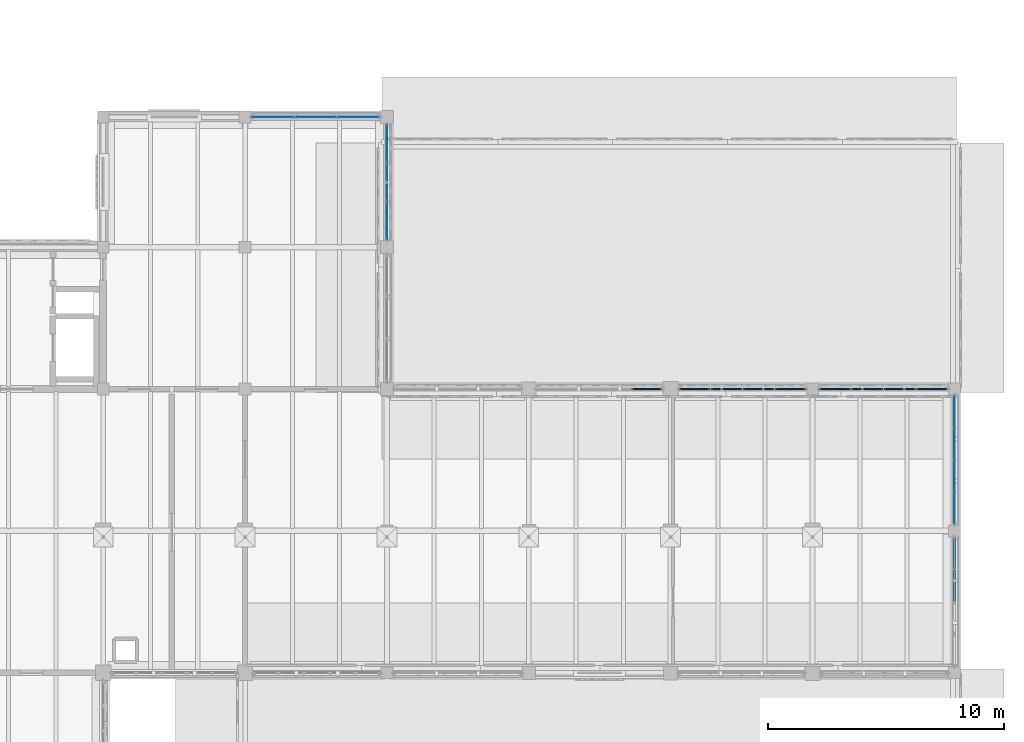
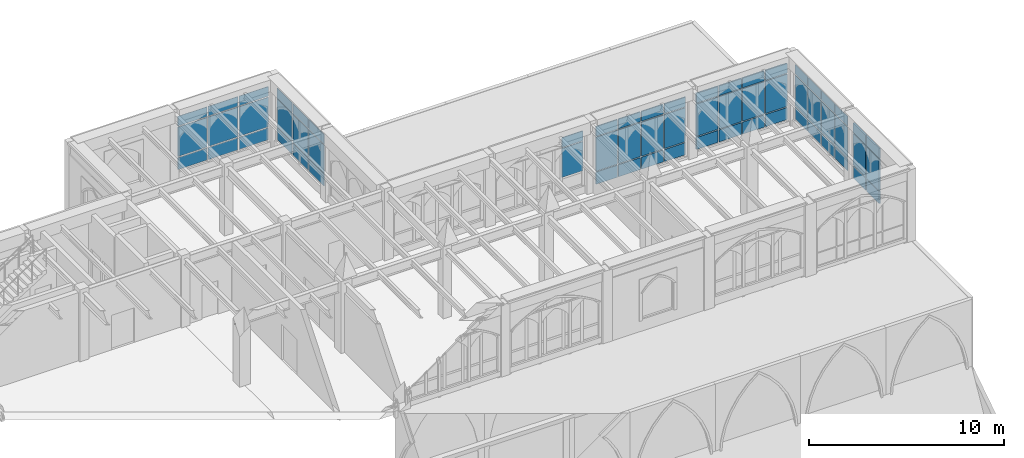
# One storey, part 99 of 143: 62 plates, 7 elements without a shape of their own.
"""IFC4 building model written with IfcOpenShell, lengths in metres."""

import ifcopenshell
import ifcopenshell.guid

model = None  # the IFC model being written
_history = None  # IfcOwnerHistory: only IFC2X3 demands one
_inside = {}  # id of a spatial element -> (the spatial element, [elements in it])
_under = {}  # id of a project, library or spatial element -> (it, [spatial elements below it])
_declared = {}  # id of a project -> (the project, [libraries it declares])
_typed = {}  # id of a type object -> (the type object, [elements of that type])
_made_of = {}  # id of a material, layer set ... -> (it, [elements and type objects made of it])


def new_model(schema):
    """Start an empty IFC model of exactly this schema.

    Asked for "IFC4X3", IfcOpenShell would pick the latest addendum, in which some entities
    have other attributes; the version numbers below select the first issue.
    IFC2X3 requires an IfcOwnerHistory on every rooted entity: one is made here for all.
    """
    global model, _history
    if schema == "IFC4X3":
        model = ifcopenshell.file(schema_version=(4, 3, 0, 0))
    else:
        model = ifcopenshell.file(schema=schema)
    _inside.clear()
    _under.clear()
    _declared.clear()
    _typed.clear()
    _made_of.clear()
    _history = None
    if model.schema == "IFC2X3":
        org = make("IfcOrganization", Name="unknown")
        user = make(
            "IfcPersonAndOrganization",
            ThePerson=make("IfcPerson", FamilyName="unknown"),
            TheOrganization=org,
        )
        app = make(
            "IfcApplication",
            ApplicationDeveloper=org,
            Version="unknown",
            ApplicationFullName="unknown",
            ApplicationIdentifier="unknown",
        )
        _history = make(
            "IfcOwnerHistory",
            OwningUser=user,
            OwningApplication=app,
            ChangeAction="ADDED",
            CreationDate=0,
        )
    return model


def make(cls, **values):
    """One entity of the class cls with the attributes given. An attribute that is None is left unset."""
    return model.create_entity(
        cls, **{name: value for name, value in values.items() if value is not None}
    )


def rooted(cls, **values):
    """An entity with a GlobalId (a new one), such as an element, a storey or a relation."""
    return make(cls, GlobalId=ifcopenshell.guid.new(), OwnerHistory=_history, **values)


def si_unit(unit_type, name, prefix=None):
    """IfcSIUnit, for example si_unit("LENGTHUNIT", "METRE", prefix="MILLI")."""
    return make("IfcSIUnit", UnitType=unit_type, Prefix=prefix, Name=name)


def assignment(units):
    """IfcUnitAssignment: the units of a project."""
    return None if units is None else make("IfcUnitAssignment", Units=units)


def point(xyz):
    """IfcCartesianPoint."""
    return None if xyz is None else make("IfcCartesianPoint", Coordinates=xyz)


def direction(xyz):
    """IfcDirection."""
    return None if xyz is None else make("IfcDirection", DirectionRatios=xyz)


def frame(location, z_axis=None, x_axis=None):
    """IfcAxis2Placement3D, a coordinate frame: its origin and axes. An axis left out is left unset."""
    return make(
        "IfcAxis2Placement3D",
        Location=point(location),
        Axis=direction(z_axis),
        RefDirection=direction(x_axis),
    )


def frame_2d(location, x_axis=None):
    """IfcAxis2Placement2D, a coordinate frame in the plane: its origin and x axis."""
    return make(
        "IfcAxis2Placement2D", Location=point(location), RefDirection=direction(x_axis)
    )


def origin():
    """The frame at (0, 0, 0) with its axes left unset."""
    return frame((0.0, 0.0, 0.0))


def origin_2d():
    """The frame at (0, 0) in the plane with its x axis left unset."""
    return frame_2d((0.0, 0.0))


def place(relative_to, where):
    """IfcLocalPlacement: puts the frame where relative to a parent placement (None: the world)."""
    return make(
        "IfcLocalPlacement", PlacementRelTo=relative_to, RelativePlacement=where
    )


def context(
    kind, dimensions, precision=None, world=None, true_north=None, identifier=None
):
    """IfcGeometricRepresentationContext, for example the 3D "Model" context."""
    return make(
        "IfcGeometricRepresentationContext",
        ContextIdentifier=identifier,
        ContextType=kind,
        CoordinateSpaceDimension=dimensions,
        Precision=precision,
        WorldCoordinateSystem=world,
        TrueNorth=true_north,
    )


def subcontext(parent, identifier, kind, view, scale=None):
    """IfcGeometricRepresentationSubContext, for example "Body" below "Model"."""
    return make(
        "IfcGeometricRepresentationSubContext",
        ContextIdentifier=identifier,
        ContextType=kind,
        ParentContext=parent,
        TargetScale=scale,
        TargetView=view,
    )


def project(units=None, contexts=None):
    """IfcProject with its units and contexts."""
    return rooted(
        "IfcProject",
        Name="project",
        RepresentationContexts=contexts,
        UnitsInContext=assignment(units),
    )


def spatial(cls, under=None, at=None, **own):
    """A site, building, storey or space (cls), placed at a placement, below another one or the project."""
    s = rooted(cls, ObjectPlacement=at, **own)
    if under is not None:
        _under.setdefault(under.id(), (under, []))[1].append(s)
    return s


def profile(cls, at=None, kind="AREA", **sizes):
    """A parametric profile (cls). Its sizes go by their IFC names, for example OverallWidth=200.0."""
    return make(cls, ProfileType=kind, Position=at, **sizes)


def rectangle(**sizes):
    """IfcRectangleProfileDef."""
    return profile("IfcRectangleProfileDef", **sizes)


def extrude(swept, where, along, depth):
    """IfcExtrudedAreaSolid: the profile swept, set in the frame where, extruded along a direction by depth."""
    return make(
        "IfcExtrudedAreaSolid",
        SweptArea=swept,
        Position=where,
        ExtrudedDirection=direction(along),
        Depth=depth,
    )


def shape(context_of_items, identifier, shape_type, items):
    """IfcShapeRepresentation: the items that make up one representation, for example the "Body"."""
    return make(
        "IfcShapeRepresentation",
        ContextOfItems=context_of_items,
        RepresentationIdentifier=identifier,
        RepresentationType=shape_type,
        Items=items,
    )


def material(Name=None, Category=None):
    """IfcMaterial."""
    return make("IfcMaterial", Name=Name, Category=Category)


def layer(
    of_material, thickness, ventilated=None, Name=None, Category=None, Priority=None
):
    """IfcMaterialLayer: one layer of a wall or slab, of a material (None: an air gap)."""
    return make(
        "IfcMaterialLayer",
        Material=of_material,
        LayerThickness=thickness,
        IsVentilated=ventilated,
        Name=Name,
        Category=Category,
        Priority=Priority,
    )


def layer_set(layers, Name=None):
    """IfcMaterialLayerSet."""
    return make("IfcMaterialLayerSet", MaterialLayers=layers, LayerSetName=Name)


def made_of(thing, what):
    """Note that an element or type object is made of a material, layer set ...; save() writes the relation."""
    if what is not None:
        _made_of.setdefault(what.id(), (what, []))[1].append(thing)
    return thing


def type_object(cls, material=None, **own):
    """A type object (cls), such as IfcWallType, which elements share."""
    return made_of(rooted(cls, **own), material)


def element(
    cls,
    number,
    at=None,
    inside=None,
    cuts=None,
    type_object=None,
    material=None,
    context=None,
    identifier="Body",
    shape_type=None,
    held_by="IfcProductDefinitionShape",
    body=None,
    shapes=None,
    **own,
):
    """One element of the class cls, such as IfcWall. Its Tag is "e" and its number.

    at: its placement. inside: the storey or other place that contains it. cuts: it is an
    opening in that element (IfcRelVoidsElement). A single representation is given by context,
    identifier, shape_type and body (its items); several are given by shapes. held_by: the class
    of the entity that holds the representations. save() writes the other relations.
    """
    e = rooted(cls, Tag="e%d" % number, ObjectPlacement=at, **own)
    if body is not None:
        shapes = [shape(context, identifier, shape_type, body)]
    if shapes is not None:
        e.Representation = make(held_by, Representations=shapes)
    if inside is not None:
        _inside.setdefault(inside.id(), (inside, []))[1].append(e)
    if cuts is not None:
        rooted(
            "IfcRelVoidsElement", RelatingBuildingElement=cuts, RelatedOpeningElement=e
        )
    if type_object is not None:
        _typed.setdefault(type_object.id(), (type_object, []))[1].append(e)
    return made_of(e, material)


def aggregate(whole, parts):
    """IfcRelAggregates: a whole, such as a stair, and the parts it consists of."""
    return rooted("IfcRelAggregates", RelatingObject=whole, RelatedObjects=parts)


def save(model, path):
    """Write the relations noted so far, then the file.

    IfcRelAggregates (storeys below a building ...), IfcRelContainedInSpatialStructure (elements
    in a storey), IfcRelDefinesByType, IfcRelAssociatesMaterial and IfcRelDeclares: one each for
    every whole, place, type object, material and project.
    """
    for whole, parts in _under.values():
        aggregate(whole, parts)
    for where, things in _inside.values():
        rooted(
            "IfcRelContainedInSpatialStructure",
            RelatedElements=things,
            RelatingStructure=where,
        )
    for kind, things in _typed.values():
        rooted("IfcRelDefinesByType", RelatedObjects=things, RelatingType=kind)
    for what, things in _made_of.values():
        rooted("IfcRelAssociatesMaterial", RelatedObjects=things, RelatingMaterial=what)
    for by, libraries in _declared.values():
        rooted("IfcRelDeclares", RelatingContext=by, RelatedDefinitions=libraries)
    model.write(path)


model = new_model("IFC4")

# Units and contexts
model_context = context("Model", 3, precision=1e-05, world=origin(), true_north=direction((0.0, 1.0)))
body_context = subcontext(model_context, "Body", "Model", "MODEL_VIEW")
ifc_project = project(units=[si_unit("LENGTHUNIT", "METRE"), si_unit("AREAUNIT", "SQUARE_METRE"), si_unit("VOLUMEUNIT", "CUBIC_METRE"), si_unit("PLANEANGLEUNIT", "RADIAN"), si_unit("MASSUNIT", "GRAM", prefix="KILO")], contexts=[model_context])

# Site, building, storey
site_placement = place(None, origin())
site = spatial("IfcSite", under=ifc_project, at=site_placement, CompositionType="ELEMENT")
building_placement = place(site_placement, origin())
building = spatial("IfcBuilding", under=site, at=building_placement, Name="Cumevento Cable Car Station", CompositionType="ELEMENT")
storey_placement = place(building_placement, frame((0.0, 0.0, 9.0)))
storey = spatial("IfcBuildingStorey", under=building, at=storey_placement, Name="L03", CompositionType="ELEMENT", Elevation=9.0)

# Curtain wall, plates
ifc_material_1 = material(Name="Anodised Bronze Aluminium AW-6063-T6", Category="aluminium")
ifc_layer_1 = layer(ifc_material_1, 0.23193359375)
ifc_layer_set_1 = layer_set([ifc_layer_1], Name="Anodised Bronze Aluminium AW-6063-T6")
curtain_wall_type_1 = type_object("IfcCurtainWallType", Name="Lancet Curtain Wall CW-13 1530", PredefinedType="NOTDEFINED", material=ifc_layer_set_1)
curtain_wall_1_placement = place(storey_placement, origin())
curtain_wall_1 = element("IfcCurtainWall", 1, at=curtain_wall_1_placement, inside=storey, type_object=curtain_wall_type_1, Name="Lancet Curtain Wall CW-13 L03 #140", PredefinedType="NOTDEFINED")
ifc_material_2 = material(Name="Solar Control Laminated Double Glazing", Category="glass")
ifc_layer_2 = layer(ifc_material_2, 0.02197265625)
ifc_layer_set_2 = layer_set([ifc_layer_2], Name="Solar Control Laminated Double Glazing")
plate_type_1 = type_object("IfcPlateType", Name="Glazed Panel CWP-01 22", PredefinedType="CURTAIN_PANEL", material=ifc_layer_set_2)
plate_1_placement = place(storey_placement, frame((166.0, 44.046142578125, 0.425048828125), z_axis=(0.0, 0.0, 1.0), x_axis=(0.0, -1.0, 0.0)))
plate_1 = element("IfcPlate", 2, at=plate_1_placement, type_object=plate_type_1, Name="CW-13 panel 1.1", PredefinedType="CURTAIN_PANEL", context=body_context, shape_type="SweptSolid", body=[
    extrude(rectangle(XDim=1.277587890625, YDim=0.02197265625, at=origin_2d()), origin(), (0.0, 0.0, 1.0), 0.75244140625),
])
plate_2_placement = place(storey_placement, frame((166.0, 44.046142578125, 1.242431640625), z_axis=(0.0, 0.0, 1.0), x_axis=(0.0, -1.0, 0.0)))
plate_2 = element("IfcPlate", 3, at=plate_2_placement, type_object=plate_type_1, Name="CW-13 panel 1.2", PredefinedType="CURTAIN_PANEL", context=body_context, shape_type="SweptSolid", body=[
    extrude(rectangle(XDim=1.277587890625, YDim=0.02197265625, at=origin_2d()), origin(), (0.0, 0.0, 1.0), 1.91796875),
])
plate_3_placement = place(storey_placement, frame((166.0, 44.046142578125, 3.2255859375), z_axis=(0.0, 0.0, 1.0), x_axis=(0.0, -1.0, 0.0)))
plate_3 = element("IfcPlate", 4, at=plate_3_placement, type_object=plate_type_1, Name="CW-13 panel 1.3", PredefinedType="CURTAIN_PANEL", context=body_context, shape_type="SweptSolid", body=[
    extrude(rectangle(XDim=1.277587890625, YDim=0.02197265625, at=origin_2d()), origin(), (0.0, 0.0, 1.0), 0.6025390625),
])
plate_4_placement = place(storey_placement, frame((166.0, 42.6875, 0.425048828125), z_axis=(0.0, 0.0, 1.0), x_axis=(0.0, -1.0, 0.0)))
plate_4 = element("IfcPlate", 5, at=plate_4_placement, type_object=plate_type_1, Name="CW-13 panel 2.1", PredefinedType="CURTAIN_PANEL", context=body_context, shape_type="SweptSolid", body=[
    extrude(rectangle(XDim=1.31005859375, YDim=0.02197265625, at=origin_2d()), origin(), (0.0, 0.0, 1.0), 0.75244140625),
])
plate_5_placement = place(storey_placement, frame((166.0, 42.6875, 1.242431640625), z_axis=(0.0, 0.0, 1.0), x_axis=(0.0, -1.0, 0.0)))
plate_5 = element("IfcPlate", 6, at=plate_5_placement, type_object=plate_type_1, Name="CW-13 panel 2.2", PredefinedType="CURTAIN_PANEL", context=body_context, shape_type="SweptSolid", body=[
    extrude(rectangle(XDim=1.31005859375, YDim=0.02197265625, at=origin_2d()), origin(), (0.0, 0.0, 1.0), 1.91796875),
])
plate_6_placement = place(storey_placement, frame((166.0, 42.6875, 3.2255859375), z_axis=(0.0, 0.0, 1.0), x_axis=(0.0, -1.0, 0.0)))
plate_6 = element("IfcPlate", 7, at=plate_6_placement, type_object=plate_type_1, Name="CW-13 panel 2.3", PredefinedType="CURTAIN_PANEL", context=body_context, shape_type="SweptSolid", body=[
    extrude(rectangle(XDim=1.31005859375, YDim=0.02197265625, at=origin_2d()), origin(), (0.0, 0.0, 1.0), 0.6025390625),
])
plate_7_placement = place(storey_placement, frame((166.0, 41.3125, 0.425048828125), z_axis=(0.0, 0.0, 1.0), x_axis=(0.0, -1.0, 0.0)))
plate_7 = element("IfcPlate", 8, at=plate_7_placement, type_object=plate_type_1, Name="CW-13 panel 3.1", PredefinedType="CURTAIN_PANEL", context=body_context, shape_type="SweptSolid", body=[
    extrude(rectangle(XDim=1.31005859375, YDim=0.02197265625, at=origin_2d()), origin(), (0.0, 0.0, 1.0), 0.75244140625),
])
plate_8_placement = place(storey_placement, frame((166.0, 41.3125, 1.242431640625), z_axis=(0.0, 0.0, 1.0), x_axis=(0.0, -1.0, 0.0)))
plate_8 = element("IfcPlate", 9, at=plate_8_placement, type_object=plate_type_1, Name="CW-13 panel 3.2", PredefinedType="CURTAIN_PANEL", context=body_context, shape_type="SweptSolid", body=[
    extrude(rectangle(XDim=1.31005859375, YDim=0.02197265625, at=origin_2d()), origin(), (0.0, 0.0, 1.0), 1.91796875),
])
plate_9_placement = place(storey_placement, frame((166.0, 41.3125, 3.2255859375), z_axis=(0.0, 0.0, 1.0), x_axis=(0.0, -1.0, 0.0)))
plate_9 = element("IfcPlate", 10, at=plate_9_placement, type_object=plate_type_1, Name="CW-13 panel 3.3", PredefinedType="CURTAIN_PANEL", context=body_context, shape_type="SweptSolid", body=[
    extrude(rectangle(XDim=1.31005859375, YDim=0.02197265625, at=origin_2d()), origin(), (0.0, 0.0, 1.0), 0.6025390625),
])
plate_10_placement = place(storey_placement, frame((166.0, 39.953857421875, 0.425048828125), z_axis=(0.0, 0.0, 1.0), x_axis=(0.0, -1.0, 0.0)))
plate_10 = element("IfcPlate", 11, at=plate_10_placement, type_object=plate_type_1, Name="CW-13 panel 4.1", PredefinedType="CURTAIN_PANEL", context=body_context, shape_type="SweptSolid", body=[
    extrude(rectangle(XDim=1.277587890625, YDim=0.02197265625, at=origin_2d()), origin(), (0.0, 0.0, 1.0), 0.75244140625),
])
plate_11_placement = place(storey_placement, frame((166.0, 39.953857421875, 1.242431640625), z_axis=(0.0, 0.0, 1.0), x_axis=(0.0, -1.0, 0.0)))
plate_11 = element("IfcPlate", 12, at=plate_11_placement, type_object=plate_type_1, Name="CW-13 panel 4.2", PredefinedType="CURTAIN_PANEL", context=body_context, shape_type="SweptSolid", body=[
    extrude(rectangle(XDim=1.277587890625, YDim=0.02197265625, at=origin_2d()), origin(), (0.0, 0.0, 1.0), 1.91796875),
])
plate_12_placement = place(storey_placement, frame((166.0, 39.953857421875, 3.2255859375), z_axis=(0.0, 0.0, 1.0), x_axis=(0.0, -1.0, 0.0)))
plate_12 = element("IfcPlate", 13, at=plate_12_placement, type_object=plate_type_1, Name="CW-13 panel 4.3", PredefinedType="CURTAIN_PANEL", context=body_context, shape_type="SweptSolid", body=[
    extrude(rectangle(XDim=1.277587890625, YDim=0.02197265625, at=origin_2d()), origin(), (0.0, 0.0, 1.0), 0.6025390625),
])
aggregate(curtain_wall_1, [plate_1, plate_2, plate_3, plate_4, plate_5, plate_6, plate_7, plate_8, plate_9, plate_10, plate_11, plate_12])

ifc_material_3 = material(Name="Anodised Bronze Aluminium AW-6063-T6", Category="aluminium")
ifc_layer_3 = layer(ifc_material_3, 0.238037109375)
ifc_layer_set_3 = layer_set([ifc_layer_3], Name="Anodised Bronze Aluminium AW-6063-T6")
curtain_wall_type_2 = type_object("IfcCurtainWallType", Name="Lancet Curtain Wall CW-14 1570", PredefinedType="NOTDEFINED", material=ifc_layer_set_3)
curtain_wall_2_placement = place(storey_placement, origin())
curtain_wall_2 = element("IfcCurtainWall", 14, at=curtain_wall_2_placement, inside=storey, type_object=curtain_wall_type_2, Name="Lancet Curtain Wall CW-14 L03 #141", PredefinedType="NOTDEFINED")
ifc_material_4 = material(Name="Solar Control Laminated Double Glazing", Category="glass")
ifc_layer_4 = layer(ifc_material_4, 0.02587890625)
ifc_layer_set_4 = layer_set([ifc_layer_4], Name="Solar Control Laminated Double Glazing")
plate_type_2 = type_object("IfcPlateType", Name="Glazed Panel CWP-02 26", PredefinedType="CURTAIN_PANEL", material=ifc_layer_set_4)
plate_13_placement = place(storey_placement, frame((137.1787109375, 56.5, 0.47509765625), z_axis=(0.0, 0.0, 1.0), x_axis=(1.0, 0.0, 0.0)))
plate_13 = element("IfcPlate", 15, at=plate_13_placement, type_object=plate_type_2, Name="CW-14 panel 1.1", PredefinedType="CURTAIN_PANEL", context=body_context, shape_type="SweptSolid", body=[
    extrude(rectangle(XDim=1.7275390625, YDim=0.02587890625, at=origin_2d()), origin(), (0.0, 0.0, 1.0), 0.75244140625),
])
plate_14_placement = place(storey_placement, frame((137.1787109375, 56.5, 1.29248046875), z_axis=(0.0, 0.0, 1.0), x_axis=(1.0, 0.0, 0.0)))
plate_14 = element("IfcPlate", 16, at=plate_14_placement, type_object=plate_type_2, Name="CW-14 panel 1.2", PredefinedType="CURTAIN_PANEL", context=body_context, shape_type="SweptSolid", body=[
    extrude(rectangle(XDim=1.7275390625, YDim=0.02587890625, at=origin_2d()), origin(), (0.0, 0.0, 1.0), 1.843994140625),
])
plate_15_placement = place(storey_placement, frame((137.1787109375, 56.5, 3.201416015625), z_axis=(0.0, 0.0, 1.0), x_axis=(1.0, 0.0, 0.0)))
plate_15 = element("IfcPlate", 17, at=plate_15_placement, type_object=plate_type_2, Name="CW-14 panel 1.3", PredefinedType="CURTAIN_PANEL", context=body_context, shape_type="SweptSolid", body=[
    extrude(rectangle(XDim=1.7275390625, YDim=0.02587890625, at=origin_2d()), origin(), (0.0, 0.0, 1.0), 0.6025390625),
])
plate_16_placement = place(storey_placement, frame((138.987548828125, 56.5, 0.47509765625), z_axis=(0.0, 0.0, 1.0), x_axis=(1.0, 0.0, 0.0)))
plate_16 = element("IfcPlate", 18, at=plate_16_placement, type_object=plate_type_2, Name="CW-14 panel 2.1", PredefinedType="CURTAIN_PANEL", context=body_context, shape_type="SweptSolid", body=[
    extrude(rectangle(XDim=1.760009765625, YDim=0.02587890625, at=origin_2d()), origin(), (0.0, 0.0, 1.0), 0.75244140625),
])
plate_17_placement = place(storey_placement, frame((138.987548828125, 56.5, 1.29248046875), z_axis=(0.0, 0.0, 1.0), x_axis=(1.0, 0.0, 0.0)))
plate_17 = element("IfcPlate", 19, at=plate_17_placement, type_object=plate_type_2, Name="CW-14 panel 2.2", PredefinedType="CURTAIN_PANEL", context=body_context, shape_type="SweptSolid", body=[
    extrude(rectangle(XDim=1.760009765625, YDim=0.02587890625, at=origin_2d()), origin(), (0.0, 0.0, 1.0), 1.843994140625),
])
plate_18_placement = place(storey_placement, frame((138.987548828125, 56.5, 3.201416015625), z_axis=(0.0, 0.0, 1.0), x_axis=(1.0, 0.0, 0.0)))
plate_18 = element("IfcPlate", 20, at=plate_18_placement, type_object=plate_type_2, Name="CW-14 panel 2.3", PredefinedType="CURTAIN_PANEL", context=body_context, shape_type="SweptSolid", body=[
    extrude(rectangle(XDim=1.760009765625, YDim=0.02587890625, at=origin_2d()), origin(), (0.0, 0.0, 1.0), 0.6025390625),
])
plate_19_placement = place(storey_placement, frame((140.796142578125, 56.5, 0.47509765625), z_axis=(0.0, 0.0, 1.0), x_axis=(1.0, 0.0, 0.0)))
plate_19 = element("IfcPlate", 21, at=plate_19_placement, type_object=plate_type_2, Name="CW-14 panel 3.1", PredefinedType="CURTAIN_PANEL", context=body_context, shape_type="SweptSolid", body=[
    extrude(rectangle(XDim=1.7275390625, YDim=0.02587890625, at=origin_2d()), origin(), (0.0, 0.0, 1.0), 0.75244140625),
])
plate_20_placement = place(storey_placement, frame((140.796142578125, 56.5, 1.29248046875), z_axis=(0.0, 0.0, 1.0), x_axis=(1.0, 0.0, 0.0)))
plate_20 = element("IfcPlate", 22, at=plate_20_placement, type_object=plate_type_2, Name="CW-14 panel 3.2", PredefinedType="CURTAIN_PANEL", context=body_context, shape_type="SweptSolid", body=[
    extrude(rectangle(XDim=1.7275390625, YDim=0.02587890625, at=origin_2d()), origin(), (0.0, 0.0, 1.0), 1.843994140625),
])
plate_21_placement = place(storey_placement, frame((140.796142578125, 56.5, 3.201416015625), z_axis=(0.0, 0.0, 1.0), x_axis=(1.0, 0.0, 0.0)))
plate_21 = element("IfcPlate", 23, at=plate_21_placement, type_object=plate_type_2, Name="CW-14 panel 3.3", PredefinedType="CURTAIN_PANEL", context=body_context, shape_type="SweptSolid", body=[
    extrude(rectangle(XDim=1.7275390625, YDim=0.02587890625, at=origin_2d()), origin(), (0.0, 0.0, 1.0), 0.6025390625),
])
aggregate(curtain_wall_2, [plate_13, plate_14, plate_15, plate_16, plate_17, plate_18, plate_19, plate_20, plate_21])

ifc_material_5 = material(Name="Anodised Bronze Aluminium AW-6063-T6", Category="aluminium")
ifc_layer_5 = layer(ifc_material_5, 0.25)
ifc_layer_set_5 = layer_set([ifc_layer_5], Name="Anodised Bronze Aluminium AW-6063-T6")
curtain_wall_type_3 = type_object("IfcCurtainWallType", Name="Lancet Curtain Wall CW-16 1650", PredefinedType="NOTDEFINED", material=ifc_layer_set_5)
curtain_wall_3_placement = place(storey_placement, origin())
curtain_wall_3 = element("IfcCurtainWall", 24, at=curtain_wall_3_placement, inside=storey, type_object=curtain_wall_type_3, Name="Lancet Curtain Wall CW-16 L03 #143", PredefinedType="NOTDEFINED")
ifc_material_6 = material(Name="Solar Control Laminated Double Glazing", Category="glass")
ifc_layer_6 = layer(ifc_material_6, 0.033935546875)
ifc_layer_set_6 = layer_set([ifc_layer_6], Name="Solar Control Laminated Double Glazing")
plate_type_3 = type_object("IfcPlateType", Name="Glazed Panel CWP-04 34", PredefinedType="CURTAIN_PANEL", material=ifc_layer_set_6)
plate_22_placement = place(storey_placement, frame((142.0, 55.3837890625, 0.5849609375), z_axis=(0.0, 0.0, 1.0), x_axis=(0.0, -1.0, 0.0)))
plate_22 = element("IfcPlate", 25, at=plate_22_placement, type_object=plate_type_3, Name="CW-16 panel 1.1", PredefinedType="CURTAIN_PANEL", context=body_context, shape_type="SweptSolid", body=[
    extrude(rectangle(XDim=1.552490234375, YDim=0.033935546875, at=origin_2d()), origin(), (0.0, 0.0, 1.0), 0.75244140625),
])
plate_23_placement = place(storey_placement, frame((142.0, 55.3837890625, 1.402587890625), z_axis=(0.0, 0.0, 1.0), x_axis=(0.0, -1.0, 0.0)))
plate_23 = element("IfcPlate", 26, at=plate_23_placement, type_object=plate_type_3, Name="CW-16 panel 1.2", PredefinedType="CURTAIN_PANEL", context=body_context, shape_type="SweptSolid", body=[
    extrude(rectangle(XDim=1.552490234375, YDim=0.033935546875, at=origin_2d()), origin(), (0.0, 0.0, 1.0), 1.73388671875),
])
plate_24_placement = place(storey_placement, frame((142.0, 55.3837890625, 3.201416015625), z_axis=(0.0, 0.0, 1.0), x_axis=(0.0, -1.0, 0.0)))
plate_24 = element("IfcPlate", 27, at=plate_24_placement, type_object=plate_type_3, Name="CW-16 panel 1.3", PredefinedType="CURTAIN_PANEL", context=body_context, shape_type="SweptSolid", body=[
    extrude(rectangle(XDim=1.552490234375, YDim=0.033935546875, at=origin_2d()), origin(), (0.0, 0.0, 1.0), 0.6025390625),
])
plate_25_placement = place(storey_placement, frame((142.0, 53.75, 0.5849609375), z_axis=(0.0, 0.0, 1.0), x_axis=(0.0, -1.0, 0.0)))
plate_25 = element("IfcPlate", 28, at=plate_25_placement, type_object=plate_type_3, Name="CW-16 panel 2.1", PredefinedType="CURTAIN_PANEL", context=body_context, shape_type="SweptSolid", body=[
    extrude(rectangle(XDim=1.5849609375, YDim=0.033935546875, at=origin_2d()), origin(), (0.0, 0.0, 1.0), 0.75244140625),
])
plate_26_placement = place(storey_placement, frame((142.0, 53.75, 1.402587890625), z_axis=(0.0, 0.0, 1.0), x_axis=(0.0, -1.0, 0.0)))
plate_26 = element("IfcPlate", 29, at=plate_26_placement, type_object=plate_type_3, Name="CW-16 panel 2.2", PredefinedType="CURTAIN_PANEL", context=body_context, shape_type="SweptSolid", body=[
    extrude(rectangle(XDim=1.5849609375, YDim=0.033935546875, at=origin_2d()), origin(), (0.0, 0.0, 1.0), 1.73388671875),
])
plate_27_placement = place(storey_placement, frame((142.0, 53.75, 3.201416015625), z_axis=(0.0, 0.0, 1.0), x_axis=(0.0, -1.0, 0.0)))
plate_27 = element("IfcPlate", 30, at=plate_27_placement, type_object=plate_type_3, Name="CW-16 panel 2.3", PredefinedType="CURTAIN_PANEL", context=body_context, shape_type="SweptSolid", body=[
    extrude(rectangle(XDim=1.5849609375, YDim=0.033935546875, at=origin_2d()), origin(), (0.0, 0.0, 1.0), 0.6025390625),
])
plate_28_placement = place(storey_placement, frame((142.0, 52.1162109375, 0.5849609375), z_axis=(0.0, 0.0, 1.0), x_axis=(0.0, -1.0, 0.0)))
plate_28 = element("IfcPlate", 31, at=plate_28_placement, type_object=plate_type_3, Name="CW-16 panel 3.1", PredefinedType="CURTAIN_PANEL", context=body_context, shape_type="SweptSolid", body=[
    extrude(rectangle(XDim=1.552490234375, YDim=0.033935546875, at=origin_2d()), origin(), (0.0, 0.0, 1.0), 0.75244140625),
])
plate_29_placement = place(storey_placement, frame((142.0, 52.1162109375, 1.402587890625), z_axis=(0.0, 0.0, 1.0), x_axis=(0.0, -1.0, 0.0)))
plate_29 = element("IfcPlate", 32, at=plate_29_placement, type_object=plate_type_3, Name="CW-16 panel 3.2", PredefinedType="CURTAIN_PANEL", context=body_context, shape_type="SweptSolid", body=[
    extrude(rectangle(XDim=1.552490234375, YDim=0.033935546875, at=origin_2d()), origin(), (0.0, 0.0, 1.0), 1.73388671875),
])
plate_30_placement = place(storey_placement, frame((142.0, 52.1162109375, 3.201416015625), z_axis=(0.0, 0.0, 1.0), x_axis=(0.0, -1.0, 0.0)))
plate_30 = element("IfcPlate", 33, at=plate_30_placement, type_object=plate_type_3, Name="CW-16 panel 3.3", PredefinedType="CURTAIN_PANEL", context=body_context, shape_type="SweptSolid", body=[
    extrude(rectangle(XDim=1.552490234375, YDim=0.033935546875, at=origin_2d()), origin(), (0.0, 0.0, 1.0), 0.6025390625),
])
aggregate(curtain_wall_3, [plate_22, plate_23, plate_24, plate_25, plate_26, plate_27, plate_28, plate_29, plate_30])

ifc_material_7 = material(Name="Anodised Bronze Aluminium AW-6063-T6", Category="aluminium")
ifc_layer_7 = layer(ifc_material_7, 0.196044921875)
ifc_layer_set_7 = layer_set([ifc_layer_7], Name="Anodised Bronze Aluminium AW-6063-T6")
curtain_wall_type_4 = type_object("IfcCurtainWallType", Name="Lancet Curtain Wall CW-07 1290", PredefinedType="NOTDEFINED", material=ifc_layer_set_7)
curtain_wall_4_placement = place(storey_placement, origin())
curtain_wall_4 = element("IfcCurtainWall", 34, at=curtain_wall_4_placement, inside=storey, type_object=curtain_wall_type_4, Name="Lancet Curtain Wall CW-07 L03 #134", PredefinedType="NOTDEFINED")
ifc_material_8 = material(Name="Insulated Bronze Aluminium Spandrel Panel", Category="aluminium")
ifc_layer_8 = layer(ifc_material_8, 0.054931640625)
ifc_layer_set_8 = layer_set([ifc_layer_8], Name="Insulated Bronze Aluminium Spandrel Panel")
plate_type_4 = type_object("IfcPlateType", Name="Spandrel Panel CWP-09 55", PredefinedType="CURTAIN_PANEL", material=ifc_layer_set_8)
plate_31_placement = place(storey_placement, frame((152.98681640625, 45.0, 1.34228515625), z_axis=(0.0, 0.0, 1.0), x_axis=(1.0, 0.0, 0.0)))
plate_31 = element("IfcPlate", 35, at=plate_31_placement, type_object=plate_type_4, Name="CW-07 panel 4.2", PredefinedType="CURTAIN_PANEL", context=body_context, shape_type="SweptSolid", body=[
    extrude(rectangle(XDim=1.246337890625, YDim=0.054931640625, at=origin_2d()), origin(), (0.0, 0.0, 1.0), 1.818115234375),
])
plate_32_placement = place(storey_placement, frame((152.98681640625, 45.0, 3.2255859375), z_axis=(0.0, 0.0, 1.0), x_axis=(1.0, 0.0, 0.0)))
plate_32 = element("IfcPlate", 36, at=plate_32_placement, type_object=plate_type_4, Name="CW-07 panel 4.3", PredefinedType="CURTAIN_PANEL", context=body_context, shape_type="SweptSolid", body=[
    extrude(rectangle(XDim=1.246337890625, YDim=0.054931640625, at=origin_2d()), origin(), (0.0, 0.0, 1.0), 0.6025390625),
])
aggregate(curtain_wall_4, [plate_31, plate_32])

ifc_material_9 = material(Name="Anodised Bronze Aluminium AW-6063-T6", Category="aluminium")
ifc_layer_9 = layer(ifc_material_9, 0.2080078125)
ifc_layer_set_9 = layer_set([ifc_layer_9], Name="Anodised Bronze Aluminium AW-6063-T6")
curtain_wall_type_5 = type_object("IfcCurtainWallType", Name="Lancet Curtain Wall CW-09 1370", PredefinedType="NOTDEFINED", material=ifc_layer_set_9)
curtain_wall_5_placement = place(storey_placement, origin())
curtain_wall_5 = element("IfcCurtainWall", 37, at=curtain_wall_5_placement, inside=storey, type_object=curtain_wall_type_5, Name="Lancet Curtain Wall CW-09 L03 #136", PredefinedType="NOTDEFINED")
ifc_material_10 = material(Name="Insulated Bronze Aluminium Spandrel Panel", Category="aluminium")
ifc_layer_10 = layer(ifc_material_10, 0.06591796875)
ifc_layer_set_10 = layer_set([ifc_layer_10], Name="Insulated Bronze Aluminium Spandrel Panel")
plate_type_5 = type_object("IfcPlateType", Name="Spandrel Panel CWP-11 66", PredefinedType="CURTAIN_PANEL", material=ifc_layer_set_10)
plate_33_placement = place(storey_placement, frame((155.019287109375, 45.0, 0.22509765625), z_axis=(0.0, 0.0, 1.0), x_axis=(1.0, 0.0, 0.0)))
plate_33 = element("IfcPlate", 38, at=plate_33_placement, type_object=plate_type_5, Name="CW-09 panel 1.1", PredefinedType="CURTAIN_PANEL", context=body_context, shape_type="SweptSolid", body=[
    extrude(rectangle(XDim=1.2587890625, YDim=0.06591796875, at=origin_2d()), origin(), (0.0, 0.0, 1.0), 0.75244140625),
])
plate_34_placement = place(storey_placement, frame((155.019287109375, 45.0, 1.04248046875), z_axis=(0.0, 0.0, 1.0), x_axis=(1.0, 0.0, 0.0)))
plate_34 = element("IfcPlate", 39, at=plate_34_placement, type_object=plate_type_5, Name="CW-09 panel 1.2", PredefinedType="CURTAIN_PANEL", context=body_context, shape_type="SweptSolid", body=[
    extrude(rectangle(XDim=1.2587890625, YDim=0.06591796875, at=origin_2d()), origin(), (0.0, 0.0, 1.0), 2.117919921875),
])
plate_35_placement = place(storey_placement, frame((155.019287109375, 45.0, 3.2255859375), z_axis=(0.0, 0.0, 1.0), x_axis=(1.0, 0.0, 0.0)))
plate_35 = element("IfcPlate", 40, at=plate_35_placement, type_object=plate_type_5, Name="CW-09 panel 1.3", PredefinedType="CURTAIN_PANEL", context=body_context, shape_type="SweptSolid", body=[
    extrude(rectangle(XDim=1.2587890625, YDim=0.06591796875, at=origin_2d()), origin(), (0.0, 0.0, 1.0), 0.6025390625),
])
plate_36_placement = place(storey_placement, frame((156.359375, 45.0, 0.22509765625), z_axis=(0.0, 0.0, 1.0), x_axis=(1.0, 0.0, 0.0)))
plate_36 = element("IfcPlate", 41, at=plate_36_placement, type_object=plate_type_5, Name="CW-09 panel 2.1", PredefinedType="CURTAIN_PANEL", context=body_context, shape_type="SweptSolid", body=[
    extrude(rectangle(XDim=1.291259765625, YDim=0.06591796875, at=origin_2d()), origin(), (0.0, 0.0, 1.0), 0.75244140625),
])
plate_37_placement = place(storey_placement, frame((156.359375, 45.0, 1.04248046875), z_axis=(0.0, 0.0, 1.0), x_axis=(1.0, 0.0, 0.0)))
plate_37 = element("IfcPlate", 42, at=plate_37_placement, type_object=plate_type_5, Name="CW-09 panel 2.2", PredefinedType="CURTAIN_PANEL", context=body_context, shape_type="SweptSolid", body=[
    extrude(rectangle(XDim=1.291259765625, YDim=0.06591796875, at=origin_2d()), origin(), (0.0, 0.0, 1.0), 2.117919921875),
])
plate_38_placement = place(storey_placement, frame((156.359375, 45.0, 3.2255859375), z_axis=(0.0, 0.0, 1.0), x_axis=(1.0, 0.0, 0.0)))
plate_38 = element("IfcPlate", 43, at=plate_38_placement, type_object=plate_type_5, Name="CW-09 panel 2.3", PredefinedType="CURTAIN_PANEL", context=body_context, shape_type="SweptSolid", body=[
    extrude(rectangle(XDim=1.291259765625, YDim=0.06591796875, at=origin_2d()), origin(), (0.0, 0.0, 1.0), 0.6025390625),
])
plate_39_placement = place(storey_placement, frame((157.715576171875, 45.0, 0.22509765625), z_axis=(0.0, 0.0, 1.0), x_axis=(1.0, 0.0, 0.0)))
plate_39 = element("IfcPlate", 44, at=plate_39_placement, type_object=plate_type_5, Name="CW-09 panel 3.1", PredefinedType="CURTAIN_PANEL", context=body_context, shape_type="SweptSolid", body=[
    extrude(rectangle(XDim=1.291259765625, YDim=0.06591796875, at=origin_2d()), origin(), (0.0, 0.0, 1.0), 0.75244140625),
])
plate_40_placement = place(storey_placement, frame((157.715576171875, 45.0, 1.04248046875), z_axis=(0.0, 0.0, 1.0), x_axis=(1.0, 0.0, 0.0)))
plate_40 = element("IfcPlate", 45, at=plate_40_placement, type_object=plate_type_5, Name="CW-09 panel 3.2", PredefinedType="CURTAIN_PANEL", context=body_context, shape_type="SweptSolid", body=[
    extrude(rectangle(XDim=1.291259765625, YDim=0.06591796875, at=origin_2d()), origin(), (0.0, 0.0, 1.0), 2.117919921875),
])
plate_41_placement = place(storey_placement, frame((157.715576171875, 45.0, 3.2255859375), z_axis=(0.0, 0.0, 1.0), x_axis=(1.0, 0.0, 0.0)))
plate_41 = element("IfcPlate", 46, at=plate_41_placement, type_object=plate_type_5, Name="CW-09 panel 3.3", PredefinedType="CURTAIN_PANEL", context=body_context, shape_type="SweptSolid", body=[
    extrude(rectangle(XDim=1.291259765625, YDim=0.06591796875, at=origin_2d()), origin(), (0.0, 0.0, 1.0), 0.6025390625),
])
plate_42_placement = place(storey_placement, frame((159.0556640625, 45.0, 0.22509765625), z_axis=(0.0, 0.0, 1.0), x_axis=(1.0, 0.0, 0.0)))
plate_42 = element("IfcPlate", 47, at=plate_42_placement, type_object=plate_type_5, Name="CW-09 panel 4.1", PredefinedType="CURTAIN_PANEL", context=body_context, shape_type="SweptSolid", body=[
    extrude(rectangle(XDim=1.2587890625, YDim=0.06591796875, at=origin_2d()), origin(), (0.0, 0.0, 1.0), 0.75244140625),
])
plate_43_placement = place(storey_placement, frame((159.0556640625, 45.0, 1.04248046875), z_axis=(0.0, 0.0, 1.0), x_axis=(1.0, 0.0, 0.0)))
plate_43 = element("IfcPlate", 48, at=plate_43_placement, type_object=plate_type_5, Name="CW-09 panel 4.2", PredefinedType="CURTAIN_PANEL", context=body_context, shape_type="SweptSolid", body=[
    extrude(rectangle(XDim=1.2587890625, YDim=0.06591796875, at=origin_2d()), origin(), (0.0, 0.0, 1.0), 2.117919921875),
])
plate_44_placement = place(storey_placement, frame((159.0556640625, 45.0, 3.2255859375), z_axis=(0.0, 0.0, 1.0), x_axis=(1.0, 0.0, 0.0)))
plate_44 = element("IfcPlate", 49, at=plate_44_placement, type_object=plate_type_5, Name="CW-09 panel 4.3", PredefinedType="CURTAIN_PANEL", context=body_context, shape_type="SweptSolid", body=[
    extrude(rectangle(XDim=1.2587890625, YDim=0.06591796875, at=origin_2d()), origin(), (0.0, 0.0, 1.0), 0.6025390625),
])
aggregate(curtain_wall_5, [plate_33, plate_34, plate_35, plate_36, plate_37, plate_38, plate_39, plate_40, plate_41, plate_42, plate_43, plate_44])

ifc_material_11 = material(Name="Anodised Bronze Aluminium AW-6063-T6", Category="aluminium")
ifc_layer_11 = layer(ifc_material_11, 0.219970703125)
ifc_layer_set_11 = layer_set([ifc_layer_11], Name="Anodised Bronze Aluminium AW-6063-T6")
curtain_wall_type_6 = type_object("IfcCurtainWallType", Name="Lancet Curtain Wall CW-11 1450", PredefinedType="NOTDEFINED", material=ifc_layer_set_11)
curtain_wall_6_placement = place(storey_placement, origin())
curtain_wall_6 = element("IfcCurtainWall", 50, at=curtain_wall_6_placement, inside=storey, type_object=curtain_wall_type_6, Name="Lancet Curtain Wall CW-11 L03 #138", PredefinedType="NOTDEFINED")
ifc_material_12 = material(Name="Insulated Bronze Aluminium Spandrel Panel", Category="aluminium")
ifc_layer_12 = layer(ifc_material_12, 0.077880859375)
ifc_layer_set_12 = layer_set([ifc_layer_12], Name="Insulated Bronze Aluminium Spandrel Panel")
plate_type_6 = type_object("IfcPlateType", Name="Spandrel Panel CWP-13 78", PredefinedType="CURTAIN_PANEL", material=ifc_layer_set_12)
plate_45_placement = place(storey_placement, frame((160.953857421875, 45.0, 0.324951171875), z_axis=(0.0, 0.0, 1.0), x_axis=(1.0, 0.0, 0.0)))
plate_45 = element("IfcPlate", 51, at=plate_45_placement, type_object=plate_type_6, Name="CW-11 panel 1.1", PredefinedType="CURTAIN_PANEL", context=body_context, shape_type="SweptSolid", body=[
    extrude(rectangle(XDim=1.277587890625, YDim=0.077880859375, at=origin_2d()), origin(), (0.0, 0.0, 1.0), 0.75244140625),
])
plate_46_placement = place(storey_placement, frame((160.953857421875, 45.0, 1.142578125), z_axis=(0.0, 0.0, 1.0), x_axis=(1.0, 0.0, 0.0)))
plate_46 = element("IfcPlate", 52, at=plate_46_placement, type_object=plate_type_6, Name="CW-11 panel 1.2", PredefinedType="CURTAIN_PANEL", context=body_context, shape_type="SweptSolid", body=[
    extrude(rectangle(XDim=1.277587890625, YDim=0.077880859375, at=origin_2d()), origin(), (0.0, 0.0, 1.0), 2.01806640625),
])
plate_47_placement = place(storey_placement, frame((160.953857421875, 45.0, 3.2255859375), z_axis=(0.0, 0.0, 1.0), x_axis=(1.0, 0.0, 0.0)))
plate_47 = element("IfcPlate", 53, at=plate_47_placement, type_object=plate_type_6, Name="CW-11 panel 1.3", PredefinedType="CURTAIN_PANEL", context=body_context, shape_type="SweptSolid", body=[
    extrude(rectangle(XDim=1.277587890625, YDim=0.077880859375, at=origin_2d()), origin(), (0.0, 0.0, 1.0), 0.6025390625),
])
plate_48_placement = place(storey_placement, frame((162.3125, 45.0, 0.324951171875), z_axis=(0.0, 0.0, 1.0), x_axis=(1.0, 0.0, 0.0)))
plate_48 = element("IfcPlate", 54, at=plate_48_placement, type_object=plate_type_6, Name="CW-11 panel 2.1", PredefinedType="CURTAIN_PANEL", context=body_context, shape_type="SweptSolid", body=[
    extrude(rectangle(XDim=1.31005859375, YDim=0.077880859375, at=origin_2d()), origin(), (0.0, 0.0, 1.0), 0.75244140625),
])
plate_49_placement = place(storey_placement, frame((162.3125, 45.0, 1.142578125), z_axis=(0.0, 0.0, 1.0), x_axis=(1.0, 0.0, 0.0)))
plate_49 = element("IfcPlate", 55, at=plate_49_placement, type_object=plate_type_6, Name="CW-11 panel 2.2", PredefinedType="CURTAIN_PANEL", context=body_context, shape_type="SweptSolid", body=[
    extrude(rectangle(XDim=1.31005859375, YDim=0.077880859375, at=origin_2d()), origin(), (0.0, 0.0, 1.0), 2.01806640625),
])
plate_50_placement = place(storey_placement, frame((162.3125, 45.0, 3.2255859375), z_axis=(0.0, 0.0, 1.0), x_axis=(1.0, 0.0, 0.0)))
plate_50 = element("IfcPlate", 56, at=plate_50_placement, type_object=plate_type_6, Name="CW-11 panel 2.3", PredefinedType="CURTAIN_PANEL", context=body_context, shape_type="SweptSolid", body=[
    extrude(rectangle(XDim=1.31005859375, YDim=0.077880859375, at=origin_2d()), origin(), (0.0, 0.0, 1.0), 0.6025390625),
])
plate_51_placement = place(storey_placement, frame((163.6875, 45.0, 0.324951171875), z_axis=(0.0, 0.0, 1.0), x_axis=(1.0, 0.0, 0.0)))
plate_51 = element("IfcPlate", 57, at=plate_51_placement, type_object=plate_type_6, Name="CW-11 panel 3.1", PredefinedType="CURTAIN_PANEL", context=body_context, shape_type="SweptSolid", body=[
    extrude(rectangle(XDim=1.31005859375, YDim=0.077880859375, at=origin_2d()), origin(), (0.0, 0.0, 1.0), 0.75244140625),
])
plate_52_placement = place(storey_placement, frame((163.6875, 45.0, 1.142578125), z_axis=(0.0, 0.0, 1.0), x_axis=(1.0, 0.0, 0.0)))
plate_52 = element("IfcPlate", 58, at=plate_52_placement, type_object=plate_type_6, Name="CW-11 panel 3.2", PredefinedType="CURTAIN_PANEL", context=body_context, shape_type="SweptSolid", body=[
    extrude(rectangle(XDim=1.31005859375, YDim=0.077880859375, at=origin_2d()), origin(), (0.0, 0.0, 1.0), 2.01806640625),
])
plate_53_placement = place(storey_placement, frame((163.6875, 45.0, 3.2255859375), z_axis=(0.0, 0.0, 1.0), x_axis=(1.0, 0.0, 0.0)))
plate_53 = element("IfcPlate", 59, at=plate_53_placement, type_object=plate_type_6, Name="CW-11 panel 3.3", PredefinedType="CURTAIN_PANEL", context=body_context, shape_type="SweptSolid", body=[
    extrude(rectangle(XDim=1.31005859375, YDim=0.077880859375, at=origin_2d()), origin(), (0.0, 0.0, 1.0), 0.6025390625),
])
plate_54_placement = place(storey_placement, frame((165.046142578125, 45.0, 0.324951171875), z_axis=(0.0, 0.0, 1.0), x_axis=(1.0, 0.0, 0.0)))
plate_54 = element("IfcPlate", 60, at=plate_54_placement, type_object=plate_type_6, Name="CW-11 panel 4.1", PredefinedType="CURTAIN_PANEL", context=body_context, shape_type="SweptSolid", body=[
    extrude(rectangle(XDim=1.277587890625, YDim=0.077880859375, at=origin_2d()), origin(), (0.0, 0.0, 1.0), 0.75244140625),
])
plate_55_placement = place(storey_placement, frame((165.046142578125, 45.0, 1.142578125), z_axis=(0.0, 0.0, 1.0), x_axis=(1.0, 0.0, 0.0)))
plate_55 = element("IfcPlate", 61, at=plate_55_placement, type_object=plate_type_6, Name="CW-11 panel 4.2", PredefinedType="CURTAIN_PANEL", context=body_context, shape_type="SweptSolid", body=[
    extrude(rectangle(XDim=1.277587890625, YDim=0.077880859375, at=origin_2d()), origin(), (0.0, 0.0, 1.0), 2.01806640625),
])
plate_56_placement = place(storey_placement, frame((165.046142578125, 45.0, 3.2255859375), z_axis=(0.0, 0.0, 1.0), x_axis=(1.0, 0.0, 0.0)))
plate_56 = element("IfcPlate", 62, at=plate_56_placement, type_object=plate_type_6, Name="CW-11 panel 4.3", PredefinedType="CURTAIN_PANEL", context=body_context, shape_type="SweptSolid", body=[
    extrude(rectangle(XDim=1.277587890625, YDim=0.077880859375, at=origin_2d()), origin(), (0.0, 0.0, 1.0), 0.6025390625),
])
aggregate(curtain_wall_6, [plate_45, plate_46, plate_47, plate_48, plate_49, plate_50, plate_51, plate_52, plate_53, plate_54, plate_55, plate_56])

ifc_material_13 = material(Name="Anodised Bronze Aluminium AW-6063-T6", Category="aluminium")
ifc_layer_13 = layer(ifc_material_13, 0.22607421875)
ifc_layer_set_13 = layer_set([ifc_layer_13], Name="Anodised Bronze Aluminium AW-6063-T6")
curtain_wall_type_7 = type_object("IfcCurtainWallType", Name="Lancet Curtain Wall CW-12 1490", PredefinedType="NOTDEFINED", material=ifc_layer_set_13)
curtain_wall_7_placement = place(storey_placement, origin())
curtain_wall_7 = element("IfcCurtainWall", 63, at=curtain_wall_7_placement, inside=storey, type_object=curtain_wall_type_7, Name="Lancet Curtain Wall CW-12 L03 #139", PredefinedType="NOTDEFINED")
ifc_material_14 = material(Name="Insulated Bronze Aluminium Spandrel Panel", Category="aluminium")
ifc_layer_14 = layer(ifc_material_14, 0.0849609375)
ifc_layer_set_14 = layer_set([ifc_layer_14], Name="Insulated Bronze Aluminium Spandrel Panel")
plate_type_7 = type_object("IfcPlateType", Name="Spandrel Panel CWP-14 85", PredefinedType="CURTAIN_PANEL", material=ifc_layer_set_14)
plate_57_placement = place(storey_placement, frame((166.0, 38.046142578125, 0.375), z_axis=(0.0, 0.0, 1.0), x_axis=(0.0, -1.0, 0.0)))
plate_57 = element("IfcPlate", 64, at=plate_57_placement, type_object=plate_type_7, Name="CW-12 panel 1.1", PredefinedType="CURTAIN_PANEL", context=body_context, shape_type="SweptSolid", body=[
    extrude(rectangle(XDim=1.277587890625, YDim=0.0849609375, at=origin_2d()), origin(), (0.0, 0.0, 1.0), 0.75244140625),
])
plate_58_placement = place(storey_placement, frame((166.0, 38.046142578125, 1.1923828125), z_axis=(0.0, 0.0, 1.0), x_axis=(0.0, -1.0, 0.0)))
plate_58 = element("IfcPlate", 65, at=plate_58_placement, type_object=plate_type_7, Name="CW-12 panel 1.2", PredefinedType="CURTAIN_PANEL", context=body_context, shape_type="SweptSolid", body=[
    extrude(rectangle(XDim=1.277587890625, YDim=0.0849609375, at=origin_2d()), origin(), (0.0, 0.0, 1.0), 1.968017578125),
])
plate_59_placement = place(storey_placement, frame((166.0, 38.046142578125, 3.2255859375), z_axis=(0.0, 0.0, 1.0), x_axis=(0.0, -1.0, 0.0)))
plate_59 = element("IfcPlate", 66, at=plate_59_placement, type_object=plate_type_7, Name="CW-12 panel 1.3", PredefinedType="CURTAIN_PANEL", context=body_context, shape_type="SweptSolid", body=[
    extrude(rectangle(XDim=1.277587890625, YDim=0.0849609375, at=origin_2d()), origin(), (0.0, 0.0, 1.0), 0.6025390625),
])
plate_60_placement = place(storey_placement, frame((166.0, 36.6875, 0.375), z_axis=(0.0, 0.0, 1.0), x_axis=(0.0, -1.0, 0.0)))
plate_60 = element("IfcPlate", 67, at=plate_60_placement, type_object=plate_type_7, Name="CW-12 panel 2.1", PredefinedType="CURTAIN_PANEL", context=body_context, shape_type="SweptSolid", body=[
    extrude(rectangle(XDim=1.31005859375, YDim=0.0849609375, at=origin_2d()), origin(), (0.0, 0.0, 1.0), 0.75244140625),
])
plate_61_placement = place(storey_placement, frame((166.0, 36.6875, 1.1923828125), z_axis=(0.0, 0.0, 1.0), x_axis=(0.0, -1.0, 0.0)))
plate_61 = element("IfcPlate", 68, at=plate_61_placement, type_object=plate_type_7, Name="CW-12 panel 2.2", PredefinedType="CURTAIN_PANEL", context=body_context, shape_type="SweptSolid", body=[
    extrude(rectangle(XDim=1.31005859375, YDim=0.0849609375, at=origin_2d()), origin(), (0.0, 0.0, 1.0), 1.968017578125),
])
plate_62_placement = place(storey_placement, frame((166.0, 36.6875, 3.2255859375), z_axis=(0.0, 0.0, 1.0), x_axis=(0.0, -1.0, 0.0)))
plate_62 = element("IfcPlate", 69, at=plate_62_placement, type_object=plate_type_7, Name="CW-12 panel 2.3", PredefinedType="CURTAIN_PANEL", context=body_context, shape_type="SweptSolid", body=[
    extrude(rectangle(XDim=1.31005859375, YDim=0.0849609375, at=origin_2d()), origin(), (0.0, 0.0, 1.0), 0.6025390625),
])
aggregate(curtain_wall_7, [plate_57, plate_58, plate_59, plate_60, plate_61, plate_62])

save(model, "model.ifc")
